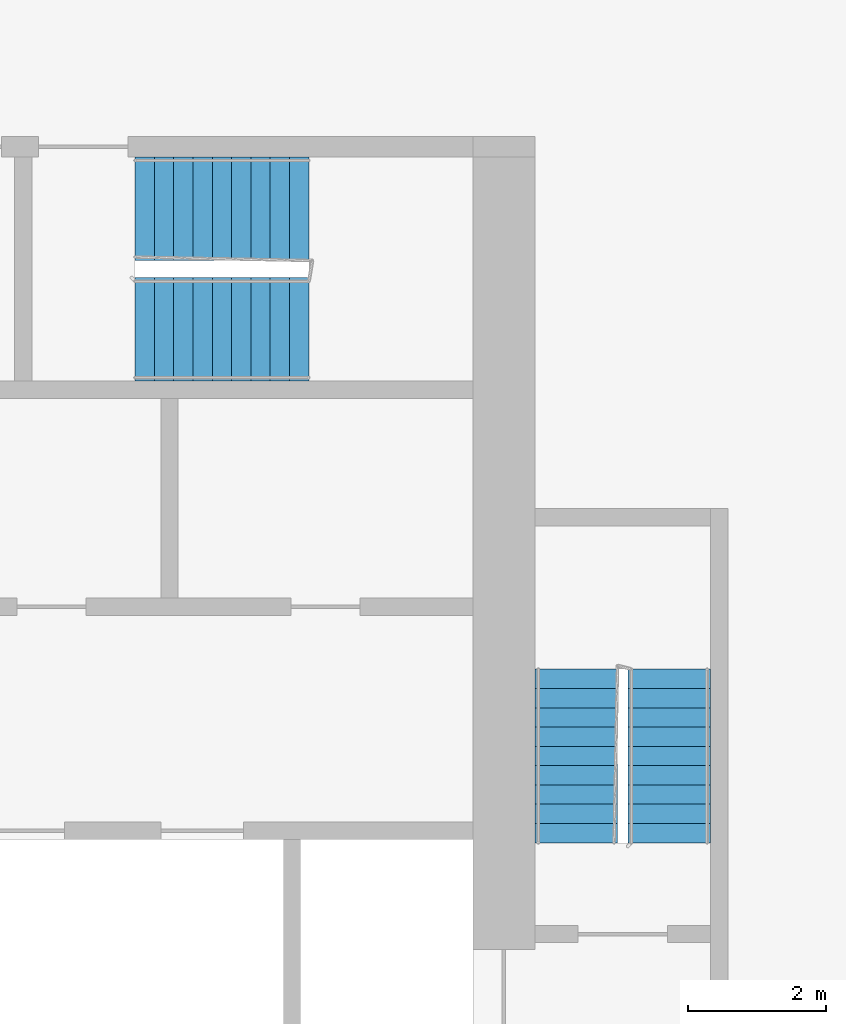
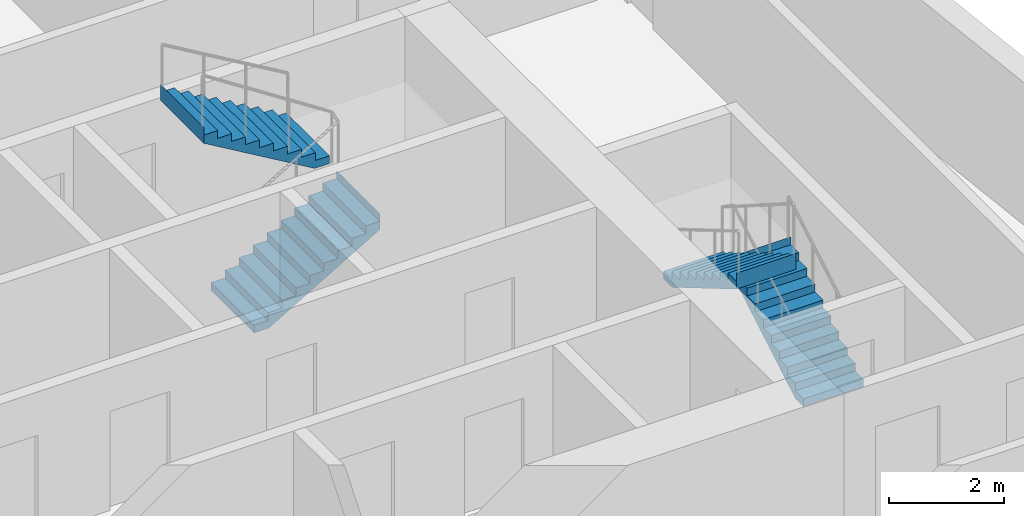
# One storey, part 11 of 12: 4 stair flights, 2 elements without a shape of their own.
"""IFC4 building model written with IfcOpenShell, lengths in metres."""

from ifc_helpers import new_model, si_unit, direction, frame, origin, place, context, subcontext, project, spatial, faceted_brep, material, type_object, element, aggregate, save


model = new_model("IFC4")

# Units and contexts
model_context = context("Model", 3, precision=1e-05, world=origin(), true_north=direction((0.0, 1.0)))
body_context = subcontext(model_context, "Body", "Model", "MODEL_VIEW")
ifc_project = project(units=[si_unit("LENGTHUNIT", "METRE"), si_unit("AREAUNIT", "SQUARE_METRE"), si_unit("VOLUMEUNIT", "CUBIC_METRE"), si_unit("PLANEANGLEUNIT", "RADIAN"), si_unit("MASSUNIT", "GRAM", prefix="KILO")], contexts=[model_context])

# Site, building, storey
site_placement = place(None, origin())
site = spatial("IfcSite", under=ifc_project, at=site_placement, CompositionType="ELEMENT")
building_placement = place(site_placement, origin())
building = spatial("IfcBuilding", under=site, at=building_placement, Name="Kajstack Hotel Tower", CompositionType="ELEMENT")
storey_placement = place(building_placement, frame((0.0, 0.0, 193.300048828125)))
storey = spatial("IfcBuildingStorey", under=building, at=storey_placement, Name="L46", CompositionType="ELEMENT", Elevation=193.300048828125)

# Stair, stair flights
ifc_material = material(Name="Concrete C40/50", Category="concrete")
stair_type_1 = type_object("IfcStairType", Name="Exit stair 1200", PredefinedType="HALF_TURN_STAIR", material=ifc_material)
stair_1_placement = place(storey_placement, origin())
stair_1 = element("IfcStair", 1, at=stair_1_placement, inside=storey, type_object=stair_type_1, Name="L46 stair E1", PredefinedType="HALF_TURN_STAIR")
stair_flight_type_1 = type_object("IfcStairFlightType", Name="Exit stair flight 1200", PredefinedType="STRAIGHT", material=ifc_material)
stair_flight_1_placement = place(storey_placement, frame((33.449951171875, 5.25, 0.0), z_axis=(0.0, 0.0, 1.0), x_axis=(0.0, 1.0, 0.0)))
stair_flight_1 = element("IfcStairFlight", 2, at=stair_flight_1_placement, type_object=stair_flight_type_1, Name="E1 flight 1", NumberOfRisers=10, NumberOfTreads=9, PredefinedType="STRAIGHT", RiserHeight=0.165, TreadLength=0.28, context=body_context, shape_type="Brep", body=[
    faceted_brep([(0.295654296875, -0.60009765625, 0.0), (2.5205078125, -0.60009765625, 1.31103515625), (2.5205078125, -0.60009765625, 1.64990234375), (2.52001953125, -0.60009765625, 1.64990234375), (2.52001953125, -0.60009765625, 1.485107421875), (2.239990234375, -0.60009765625, 1.485107421875), (2.239990234375, -0.60009765625, 1.320068359375), (1.9599609375, -0.60009765625, 1.320068359375), (1.9599609375, -0.60009765625, 1.155029296875), (1.679931640625, -0.60009765625, 1.155029296875), (1.679931640625, -0.60009765625, 0.989990234375), (1.39990234375, -0.60009765625, 0.989990234375), (1.39990234375, -0.60009765625, 0.824951171875), (1.1201171875, -0.60009765625, 0.824951171875), (1.1201171875, -0.60009765625, 0.659912109375), (0.840087890625, -0.60009765625, 0.659912109375), (0.840087890625, -0.60009765625, 0.4951171875), (0.56005859375, -0.60009765625, 0.4951171875), (0.56005859375, -0.60009765625, 0.330078125), (0.280029296875, -0.60009765625, 0.330078125), (0.280029296875, -0.60009765625, 0.1650390625), (-0.00048828125, -0.60009765625, 0.1650390625), (-0.00048828125, -0.60009765625, 0.0), (-0.00048828125, 0.60009765625, 0.0), (-0.00048828125, 0.60009765625, 0.1650390625), (0.280029296875, 0.60009765625, 0.1650390625), (0.280029296875, 0.60009765625, 0.330078125), (0.56005859375, 0.60009765625, 0.330078125), (0.56005859375, 0.60009765625, 0.4951171875), (0.840087890625, 0.60009765625, 0.4951171875), (0.840087890625, 0.60009765625, 0.659912109375), (1.1201171875, 0.60009765625, 0.659912109375), (1.1201171875, 0.60009765625, 0.824951171875), (1.39990234375, 0.60009765625, 0.824951171875), (1.39990234375, 0.60009765625, 0.989990234375), (1.679931640625, 0.60009765625, 0.989990234375), (1.679931640625, 0.60009765625, 1.155029296875), (1.9599609375, 0.60009765625, 1.155029296875), (1.9599609375, 0.60009765625, 1.320068359375), (2.239990234375, 0.60009765625, 1.320068359375), (2.239990234375, 0.60009765625, 1.485107421875), (2.52001953125, 0.60009765625, 1.485107421875), (2.52001953125, 0.60009765625, 1.64990234375), (2.5205078125, 0.60009765625, 1.64990234375), (2.5205078125, 0.60009765625, 1.31103515625), (0.295654296875, 0.60009765625, 0.0), (-0.00048828125, -0.300048828125, 0.1650390625), (-0.00048828125, 0.0, 0.1650390625), (-0.00048828125, 0.300048828125, 0.1650390625), (-0.00048828125, 0.300048828125, 0.0), (-0.00048828125, 0.0, 0.0), (-0.00048828125, -0.300048828125, 0.0), (0.280029296875, -0.300048828125, 0.1650390625), (0.280029296875, 0.0, 0.1650390625), (0.280029296875, 0.300048828125, 0.1650390625), (0.280029296875, -0.300048828125, 0.330078125), (0.280029296875, 0.0, 0.330078125), (0.280029296875, 0.300048828125, 0.330078125), (0.56005859375, -0.300048828125, 0.330078125), (0.56005859375, 0.0, 0.330078125), (0.56005859375, 0.300048828125, 0.330078125), (0.56005859375, -0.300048828125, 0.4951171875), (0.56005859375, 0.0, 0.4951171875), (0.56005859375, 0.300048828125, 0.4951171875), (0.840087890625, -0.300048828125, 0.4951171875), (0.840087890625, 0.0, 0.4951171875), (0.840087890625, 0.300048828125, 0.4951171875), (0.840087890625, -0.300048828125, 0.659912109375), (0.840087890625, 0.0, 0.659912109375), (0.840087890625, 0.300048828125, 0.659912109375), (1.1201171875, -0.300048828125, 0.659912109375), (1.1201171875, 0.0, 0.659912109375), (1.1201171875, 0.300048828125, 0.659912109375), (1.1201171875, -0.300048828125, 0.824951171875), (1.1201171875, 0.0, 0.824951171875), (1.1201171875, 0.300048828125, 0.824951171875), (1.39990234375, -0.300048828125, 0.824951171875), (1.39990234375, 0.0, 0.824951171875), (1.39990234375, 0.300048828125, 0.824951171875), (1.39990234375, -0.300048828125, 0.989990234375), (1.39990234375, 0.0, 0.989990234375), (1.39990234375, 0.300048828125, 0.989990234375), (1.679931640625, -0.300048828125, 0.989990234375), (1.679931640625, 0.0, 0.989990234375), (1.679931640625, 0.300048828125, 0.989990234375), (1.679931640625, -0.300048828125, 1.155029296875), (1.679931640625, 0.0, 1.155029296875), (1.679931640625, 0.300048828125, 1.155029296875), (1.9599609375, -0.300048828125, 1.155029296875), (1.9599609375, 0.0, 1.155029296875), (1.9599609375, 0.300048828125, 1.155029296875), (1.9599609375, -0.300048828125, 1.320068359375), (1.9599609375, 0.0, 1.320068359375), (1.9599609375, 0.300048828125, 1.320068359375), (2.239990234375, -0.300048828125, 1.320068359375), (2.239990234375, 0.0, 1.320068359375), (2.239990234375, 0.300048828125, 1.320068359375), (2.239990234375, -0.300048828125, 1.485107421875), (2.239990234375, 0.0, 1.485107421875), (2.239990234375, 0.300048828125, 1.485107421875), (2.52001953125, -0.300048828125, 1.485107421875), (2.52001953125, 0.0, 1.485107421875), (2.52001953125, 0.300048828125, 1.485107421875), (2.52001953125, -0.300048828125, 1.64990234375), (2.52001953125, 0.0, 1.64990234375), (2.52001953125, 0.300048828125, 1.64990234375), (2.5205078125, -0.300048828125, 1.64990234375), (2.5205078125, 0.0, 1.64990234375), (2.5205078125, 0.300048828125, 1.64990234375), (2.5205078125, -0.300048828125, 1.31103515625), (2.5205078125, 0.0, 1.31103515625), (2.5205078125, 0.300048828125, 1.31103515625), (0.295654296875, -0.300048828125, 0.0), (0.295654296875, 0.0, 0.0), (0.295654296875, 0.300048828125, 0.0)], [[[0, 1, 2, 3, 4, 5, 6, 7, 8, 9, 10, 11, 12, 13, 14, 15, 16, 17, 18, 19, 20, 21, 22]], [[23, 24, 25, 26, 27, 28, 29, 30, 31, 32, 33, 34, 35, 36, 37, 38, 39, 40, 41, 42, 43, 44, 45]], [[21, 46, 47, 48, 24, 23, 49, 50, 51, 22]], [[20, 52, 53, 54, 25, 24, 48, 47, 46, 21]], [[19, 55, 56, 57, 26, 25, 54, 53, 52, 20]], [[18, 58, 59, 60, 27, 26, 57, 56, 55, 19]], [[17, 61, 62, 63, 28, 27, 60, 59, 58, 18]], [[16, 64, 65, 66, 29, 28, 63, 62, 61, 17]], [[15, 67, 68, 69, 30, 29, 66, 65, 64, 16]], [[14, 70, 71, 72, 31, 30, 69, 68, 67, 15]], [[13, 73, 74, 75, 32, 31, 72, 71, 70, 14]], [[12, 76, 77, 78, 33, 32, 75, 74, 73, 13]], [[11, 79, 80, 81, 34, 33, 78, 77, 76, 12]], [[10, 82, 83, 84, 35, 34, 81, 80, 79, 11]], [[9, 85, 86, 87, 36, 35, 84, 83, 82, 10]], [[8, 88, 89, 90, 37, 36, 87, 86, 85, 9]], [[7, 91, 92, 93, 38, 37, 90, 89, 88, 8]], [[6, 94, 95, 96, 39, 38, 93, 92, 91, 7]], [[5, 97, 98, 99, 40, 39, 96, 95, 94, 6]], [[4, 100, 101, 102, 41, 40, 99, 98, 97, 5]], [[3, 103, 104, 105, 42, 41, 102, 101, 100, 4]], [[2, 106, 107, 108, 43, 42, 105, 104, 103, 3]], [[1, 109, 110, 111, 44, 43, 108, 107, 106, 2]], [[0, 112, 113, 114, 45, 44, 111, 110, 109, 1]], [[22, 51, 50, 49, 23, 45, 114, 113, 112, 0]]]),
])
stair_flight_2_placement = place(storey_placement, frame((32.10009765625, 7.77001953125, 1.64990234375), z_axis=(0.0, 0.0, 1.0), x_axis=(0.0, -1.0, 0.0)))
stair_flight_2 = element("IfcStairFlight", 3, at=stair_flight_2_placement, type_object=stair_flight_type_1, Name="E1 flight 2", NumberOfRisers=10, NumberOfTreads=9, PredefinedType="STRAIGHT", RiserHeight=0.165, TreadLength=0.28, context=body_context, shape_type="Brep", body=[
    faceted_brep([(0.295654296875, -0.60009765625, 0.0), (2.5205078125, -0.60009765625, 1.31103515625), (2.5205078125, -0.60009765625, 1.64990234375), (2.52001953125, -0.60009765625, 1.64990234375), (2.52001953125, -0.60009765625, 1.485107421875), (2.239990234375, -0.60009765625, 1.485107421875), (2.239990234375, -0.60009765625, 1.320068359375), (1.9599609375, -0.60009765625, 1.320068359375), (1.9599609375, -0.60009765625, 1.155029296875), (1.679931640625, -0.60009765625, 1.155029296875), (1.679931640625, -0.60009765625, 0.989990234375), (1.39990234375, -0.60009765625, 0.989990234375), (1.39990234375, -0.60009765625, 0.824951171875), (1.1201171875, -0.60009765625, 0.824951171875), (1.1201171875, -0.60009765625, 0.659912109375), (0.840087890625, -0.60009765625, 0.659912109375), (0.840087890625, -0.60009765625, 0.4951171875), (0.56005859375, -0.60009765625, 0.4951171875), (0.56005859375, -0.60009765625, 0.330078125), (0.280029296875, -0.60009765625, 0.330078125), (0.280029296875, -0.60009765625, 0.1650390625), (-0.00048828125, -0.60009765625, 0.1650390625), (-0.00048828125, -0.60009765625, 0.0), (-0.00048828125, 0.60009765625, 0.0), (-0.00048828125, 0.60009765625, 0.1650390625), (0.280029296875, 0.60009765625, 0.1650390625), (0.280029296875, 0.60009765625, 0.330078125), (0.56005859375, 0.60009765625, 0.330078125), (0.56005859375, 0.60009765625, 0.4951171875), (0.840087890625, 0.60009765625, 0.4951171875), (0.840087890625, 0.60009765625, 0.659912109375), (1.1201171875, 0.60009765625, 0.659912109375), (1.1201171875, 0.60009765625, 0.824951171875), (1.39990234375, 0.60009765625, 0.824951171875), (1.39990234375, 0.60009765625, 0.989990234375), (1.679931640625, 0.60009765625, 0.989990234375), (1.679931640625, 0.60009765625, 1.155029296875), (1.9599609375, 0.60009765625, 1.155029296875), (1.9599609375, 0.60009765625, 1.320068359375), (2.239990234375, 0.60009765625, 1.320068359375), (2.239990234375, 0.60009765625, 1.485107421875), (2.52001953125, 0.60009765625, 1.485107421875), (2.52001953125, 0.60009765625, 1.64990234375), (2.5205078125, 0.60009765625, 1.64990234375), (2.5205078125, 0.60009765625, 1.31103515625), (0.295654296875, 0.60009765625, 0.0), (-0.00048828125, -0.300048828125, 0.1650390625), (-0.00048828125, 0.0, 0.1650390625), (-0.00048828125, 0.300048828125, 0.1650390625), (-0.00048828125, 0.300048828125, 0.0), (-0.00048828125, 0.0, 0.0), (-0.00048828125, -0.300048828125, 0.0), (0.280029296875, -0.300048828125, 0.1650390625), (0.280029296875, 0.0, 0.1650390625), (0.280029296875, 0.300048828125, 0.1650390625), (0.280029296875, -0.300048828125, 0.330078125), (0.280029296875, 0.0, 0.330078125), (0.280029296875, 0.300048828125, 0.330078125), (0.56005859375, -0.300048828125, 0.330078125), (0.56005859375, 0.0, 0.330078125), (0.56005859375, 0.300048828125, 0.330078125), (0.56005859375, -0.300048828125, 0.4951171875), (0.56005859375, 0.0, 0.4951171875), (0.56005859375, 0.300048828125, 0.4951171875), (0.840087890625, -0.300048828125, 0.4951171875), (0.840087890625, 0.0, 0.4951171875), (0.840087890625, 0.300048828125, 0.4951171875), (0.840087890625, -0.300048828125, 0.659912109375), (0.840087890625, 0.0, 0.659912109375), (0.840087890625, 0.300048828125, 0.659912109375), (1.1201171875, -0.300048828125, 0.659912109375), (1.1201171875, 0.0, 0.659912109375), (1.1201171875, 0.300048828125, 0.659912109375), (1.1201171875, -0.300048828125, 0.824951171875), (1.1201171875, 0.0, 0.824951171875), (1.1201171875, 0.300048828125, 0.824951171875), (1.39990234375, -0.300048828125, 0.824951171875), (1.39990234375, 0.0, 0.824951171875), (1.39990234375, 0.300048828125, 0.824951171875), (1.39990234375, -0.300048828125, 0.989990234375), (1.39990234375, 0.0, 0.989990234375), (1.39990234375, 0.300048828125, 0.989990234375), (1.679931640625, -0.300048828125, 0.989990234375), (1.679931640625, 0.0, 0.989990234375), (1.679931640625, 0.300048828125, 0.989990234375), (1.679931640625, -0.300048828125, 1.155029296875), (1.679931640625, 0.0, 1.155029296875), (1.679931640625, 0.300048828125, 1.155029296875), (1.9599609375, -0.300048828125, 1.155029296875), (1.9599609375, 0.0, 1.155029296875), (1.9599609375, 0.300048828125, 1.155029296875), (1.9599609375, -0.300048828125, 1.320068359375), (1.9599609375, 0.0, 1.320068359375), (1.9599609375, 0.300048828125, 1.320068359375), (2.239990234375, -0.300048828125, 1.320068359375), (2.239990234375, 0.0, 1.320068359375), (2.239990234375, 0.300048828125, 1.320068359375), (2.239990234375, -0.300048828125, 1.485107421875), (2.239990234375, 0.0, 1.485107421875), (2.239990234375, 0.300048828125, 1.485107421875), (2.52001953125, -0.300048828125, 1.485107421875), (2.52001953125, 0.0, 1.485107421875), (2.52001953125, 0.300048828125, 1.485107421875), (2.52001953125, -0.300048828125, 1.64990234375), (2.52001953125, 0.0, 1.64990234375), (2.52001953125, 0.300048828125, 1.64990234375), (2.5205078125, -0.300048828125, 1.64990234375), (2.5205078125, 0.0, 1.64990234375), (2.5205078125, 0.300048828125, 1.64990234375), (2.5205078125, -0.300048828125, 1.31103515625), (2.5205078125, 0.0, 1.31103515625), (2.5205078125, 0.300048828125, 1.31103515625), (0.295654296875, -0.300048828125, 0.0), (0.295654296875, 0.0, 0.0), (0.295654296875, 0.300048828125, 0.0)], [[[0, 1, 2, 3, 4, 5, 6, 7, 8, 9, 10, 11, 12, 13, 14, 15, 16, 17, 18, 19, 20, 21, 22]], [[23, 24, 25, 26, 27, 28, 29, 30, 31, 32, 33, 34, 35, 36, 37, 38, 39, 40, 41, 42, 43, 44, 45]], [[21, 46, 47, 48, 24, 23, 49, 50, 51, 22]], [[20, 52, 53, 54, 25, 24, 48, 47, 46, 21]], [[19, 55, 56, 57, 26, 25, 54, 53, 52, 20]], [[18, 58, 59, 60, 27, 26, 57, 56, 55, 19]], [[17, 61, 62, 63, 28, 27, 60, 59, 58, 18]], [[16, 64, 65, 66, 29, 28, 63, 62, 61, 17]], [[15, 67, 68, 69, 30, 29, 66, 65, 64, 16]], [[14, 70, 71, 72, 31, 30, 69, 68, 67, 15]], [[13, 73, 74, 75, 32, 31, 72, 71, 70, 14]], [[12, 76, 77, 78, 33, 32, 75, 74, 73, 13]], [[11, 79, 80, 81, 34, 33, 78, 77, 76, 12]], [[10, 82, 83, 84, 35, 34, 81, 80, 79, 11]], [[9, 85, 86, 87, 36, 35, 84, 83, 82, 10]], [[8, 88, 89, 90, 37, 36, 87, 86, 85, 9]], [[7, 91, 92, 93, 38, 37, 90, 89, 88, 8]], [[6, 94, 95, 96, 39, 38, 93, 92, 91, 7]], [[5, 97, 98, 99, 40, 39, 96, 95, 94, 6]], [[4, 100, 101, 102, 41, 40, 99, 98, 97, 5]], [[3, 103, 104, 105, 42, 41, 102, 101, 100, 4]], [[2, 106, 107, 108, 43, 42, 105, 104, 103, 3]], [[1, 109, 110, 111, 44, 43, 108, 107, 106, 2]], [[0, 112, 113, 114, 45, 44, 111, 110, 109, 1]], [[22, 51, 50, 49, 23, 45, 114, 113, 112, 0]]]),
])
aggregate(stair_1, [stair_flight_1, stair_flight_2])

stair_type_2 = type_object("IfcStairType", Name="Exit stair 1500", PredefinedType="HALF_TURN_STAIR", material=ifc_material)
stair_2_placement = place(storey_placement, origin())
stair_2 = element("IfcStair", 4, at=stair_2_placement, inside=storey, type_object=stair_type_2, Name="L46 stair E3", PredefinedType="HALF_TURN_STAIR")
stair_flight_type_2 = type_object("IfcStairFlightType", Name="Exit stair flight 1500", PredefinedType="STRAIGHT", material=ifc_material)
stair_flight_3_placement = place(storey_placement, frame((25.699951171875, 12.699951171875, 0.0), z_axis=(0.0, 0.0, 1.0), x_axis=(1.0, 0.0, 0.0)))
stair_flight_3 = element("IfcStairFlight", 5, at=stair_flight_3_placement, type_object=stair_flight_type_2, Name="E3 flight 1", NumberOfRisers=10, NumberOfTreads=9, PredefinedType="STRAIGHT", RiserHeight=0.165, TreadLength=0.28, context=body_context, shape_type="Brep", body=[
    faceted_brep([(0.295654296875, -0.75, 0.0), (2.5205078125, -0.75, 1.31103515625), (2.5205078125, -0.75, 1.64990234375), (2.52001953125, -0.75, 1.64990234375), (2.52001953125, -0.75, 1.485107421875), (2.239990234375, -0.75, 1.485107421875), (2.239990234375, -0.75, 1.320068359375), (1.9599609375, -0.75, 1.320068359375), (1.9599609375, -0.75, 1.155029296875), (1.679931640625, -0.75, 1.155029296875), (1.679931640625, -0.75, 0.989990234375), (1.39990234375, -0.75, 0.989990234375), (1.39990234375, -0.75, 0.824951171875), (1.1201171875, -0.75, 0.824951171875), (1.1201171875, -0.75, 0.659912109375), (0.840087890625, -0.75, 0.659912109375), (0.840087890625, -0.75, 0.4951171875), (0.56005859375, -0.75, 0.4951171875), (0.56005859375, -0.75, 0.330078125), (0.280029296875, -0.75, 0.330078125), (0.280029296875, -0.75, 0.1650390625), (-0.00048828125, -0.75, 0.1650390625), (-0.00048828125, -0.75, 0.0), (-0.00048828125, 0.75, 0.0), (-0.00048828125, 0.75, 0.1650390625), (0.280029296875, 0.75, 0.1650390625), (0.280029296875, 0.75, 0.330078125), (0.56005859375, 0.75, 0.330078125), (0.56005859375, 0.75, 0.4951171875), (0.840087890625, 0.75, 0.4951171875), (0.840087890625, 0.75, 0.659912109375), (1.1201171875, 0.75, 0.659912109375), (1.1201171875, 0.75, 0.824951171875), (1.39990234375, 0.75, 0.824951171875), (1.39990234375, 0.75, 0.989990234375), (1.679931640625, 0.75, 0.989990234375), (1.679931640625, 0.75, 1.155029296875), (1.9599609375, 0.75, 1.155029296875), (1.9599609375, 0.75, 1.320068359375), (2.239990234375, 0.75, 1.320068359375), (2.239990234375, 0.75, 1.485107421875), (2.52001953125, 0.75, 1.485107421875), (2.52001953125, 0.75, 1.64990234375), (2.5205078125, 0.75, 1.64990234375), (2.5205078125, 0.75, 1.31103515625), (0.295654296875, 0.75, 0.0), (-0.00048828125, -0.375, 0.1650390625), (-0.00048828125, 0.0, 0.1650390625), (-0.00048828125, 0.375, 0.1650390625), (-0.00048828125, 0.375, 0.0), (-0.00048828125, 0.0, 0.0), (-0.00048828125, -0.375, 0.0), (0.280029296875, -0.375, 0.1650390625), (0.280029296875, 0.0, 0.1650390625), (0.280029296875, 0.375, 0.1650390625), (0.280029296875, -0.375, 0.330078125), (0.280029296875, 0.0, 0.330078125), (0.280029296875, 0.375, 0.330078125), (0.56005859375, -0.375, 0.330078125), (0.56005859375, 0.0, 0.330078125), (0.56005859375, 0.375, 0.330078125), (0.56005859375, -0.375, 0.4951171875), (0.56005859375, 0.0, 0.4951171875), (0.56005859375, 0.375, 0.4951171875), (0.840087890625, -0.375, 0.4951171875), (0.840087890625, 0.0, 0.4951171875), (0.840087890625, 0.375, 0.4951171875), (0.840087890625, -0.375, 0.659912109375), (0.840087890625, 0.0, 0.659912109375), (0.840087890625, 0.375, 0.659912109375), (1.1201171875, -0.375, 0.659912109375), (1.1201171875, 0.0, 0.659912109375), (1.1201171875, 0.375, 0.659912109375), (1.1201171875, -0.375, 0.824951171875), (1.1201171875, 0.0, 0.824951171875), (1.1201171875, 0.375, 0.824951171875), (1.39990234375, -0.375, 0.824951171875), (1.39990234375, 0.0, 0.824951171875), (1.39990234375, 0.375, 0.824951171875), (1.39990234375, -0.375, 0.989990234375), (1.39990234375, 0.0, 0.989990234375), (1.39990234375, 0.375, 0.989990234375), (1.679931640625, -0.375, 0.989990234375), (1.679931640625, 0.0, 0.989990234375), (1.679931640625, 0.375, 0.989990234375), (1.679931640625, -0.375, 1.155029296875), (1.679931640625, 0.0, 1.155029296875), (1.679931640625, 0.375, 1.155029296875), (1.9599609375, -0.375, 1.155029296875), (1.9599609375, 0.0, 1.155029296875), (1.9599609375, 0.375, 1.155029296875), (1.9599609375, -0.375, 1.320068359375), (1.9599609375, 0.0, 1.320068359375), (1.9599609375, 0.375, 1.320068359375), (2.239990234375, -0.375, 1.320068359375), (2.239990234375, 0.0, 1.320068359375), (2.239990234375, 0.375, 1.320068359375), (2.239990234375, -0.375, 1.485107421875), (2.239990234375, 0.0, 1.485107421875), (2.239990234375, 0.375, 1.485107421875), (2.52001953125, -0.375, 1.485107421875), (2.52001953125, 0.0, 1.485107421875), (2.52001953125, 0.375, 1.485107421875), (2.52001953125, -0.375, 1.64990234375), (2.52001953125, 0.0, 1.64990234375), (2.52001953125, 0.375, 1.64990234375), (2.5205078125, -0.375, 1.64990234375), (2.5205078125, 0.0, 1.64990234375), (2.5205078125, 0.375, 1.64990234375), (2.5205078125, -0.375, 1.31103515625), (2.5205078125, 0.0, 1.31103515625), (2.5205078125, 0.375, 1.31103515625), (0.295654296875, -0.375, 0.0), (0.295654296875, 0.0, 0.0), (0.295654296875, 0.375, 0.0)], [[[0, 1, 2, 3, 4, 5, 6, 7, 8, 9, 10, 11, 12, 13, 14, 15, 16, 17, 18, 19, 20, 21, 22]], [[23, 24, 25, 26, 27, 28, 29, 30, 31, 32, 33, 34, 35, 36, 37, 38, 39, 40, 41, 42, 43, 44, 45]], [[21, 46, 47, 48, 24, 23, 49, 50, 51, 22]], [[20, 52, 53, 54, 25, 24, 48, 47, 46, 21]], [[19, 55, 56, 57, 26, 25, 54, 53, 52, 20]], [[18, 58, 59, 60, 27, 26, 57, 56, 55, 19]], [[17, 61, 62, 63, 28, 27, 60, 59, 58, 18]], [[16, 64, 65, 66, 29, 28, 63, 62, 61, 17]], [[15, 67, 68, 69, 30, 29, 66, 65, 64, 16]], [[14, 70, 71, 72, 31, 30, 69, 68, 67, 15]], [[13, 73, 74, 75, 32, 31, 72, 71, 70, 14]], [[12, 76, 77, 78, 33, 32, 75, 74, 73, 13]], [[11, 79, 80, 81, 34, 33, 78, 77, 76, 12]], [[10, 82, 83, 84, 35, 34, 81, 80, 79, 11]], [[9, 85, 86, 87, 36, 35, 84, 83, 82, 10]], [[8, 88, 89, 90, 37, 36, 87, 86, 85, 9]], [[7, 91, 92, 93, 38, 37, 90, 89, 88, 8]], [[6, 94, 95, 96, 39, 38, 93, 92, 91, 7]], [[5, 97, 98, 99, 40, 39, 96, 95, 94, 6]], [[4, 100, 101, 102, 41, 40, 99, 98, 97, 5]], [[3, 103, 104, 105, 42, 41, 102, 101, 100, 4]], [[2, 106, 107, 108, 43, 42, 105, 104, 103, 3]], [[1, 109, 110, 111, 44, 43, 108, 107, 106, 2]], [[0, 112, 113, 114, 45, 44, 111, 110, 109, 1]], [[22, 51, 50, 49, 23, 45, 114, 113, 112, 0]]]),
])
stair_flight_4_placement = place(storey_placement, frame((28.219970703125, 14.449951171875, 1.64990234375), z_axis=(0.0, 0.0, 1.0), x_axis=(-1.0, 0.0, 0.0)))
stair_flight_4 = element("IfcStairFlight", 6, at=stair_flight_4_placement, type_object=stair_flight_type_2, Name="E3 flight 2", NumberOfRisers=10, NumberOfTreads=9, PredefinedType="STRAIGHT", RiserHeight=0.165, TreadLength=0.28, context=body_context, shape_type="Brep", body=[
    faceted_brep([(0.295654296875, -0.75, 0.0), (2.5205078125, -0.75, 1.31103515625), (2.5205078125, -0.75, 1.64990234375), (2.52001953125, -0.75, 1.64990234375), (2.52001953125, -0.75, 1.485107421875), (2.239990234375, -0.75, 1.485107421875), (2.239990234375, -0.75, 1.320068359375), (1.9599609375, -0.75, 1.320068359375), (1.9599609375, -0.75, 1.155029296875), (1.679931640625, -0.75, 1.155029296875), (1.679931640625, -0.75, 0.989990234375), (1.39990234375, -0.75, 0.989990234375), (1.39990234375, -0.75, 0.824951171875), (1.1201171875, -0.75, 0.824951171875), (1.1201171875, -0.75, 0.659912109375), (0.840087890625, -0.75, 0.659912109375), (0.840087890625, -0.75, 0.4951171875), (0.56005859375, -0.75, 0.4951171875), (0.56005859375, -0.75, 0.330078125), (0.280029296875, -0.75, 0.330078125), (0.280029296875, -0.75, 0.1650390625), (-0.00048828125, -0.75, 0.1650390625), (-0.00048828125, -0.75, 0.0), (-0.00048828125, 0.75, 0.0), (-0.00048828125, 0.75, 0.1650390625), (0.280029296875, 0.75, 0.1650390625), (0.280029296875, 0.75, 0.330078125), (0.56005859375, 0.75, 0.330078125), (0.56005859375, 0.75, 0.4951171875), (0.840087890625, 0.75, 0.4951171875), (0.840087890625, 0.75, 0.659912109375), (1.1201171875, 0.75, 0.659912109375), (1.1201171875, 0.75, 0.824951171875), (1.39990234375, 0.75, 0.824951171875), (1.39990234375, 0.75, 0.989990234375), (1.679931640625, 0.75, 0.989990234375), (1.679931640625, 0.75, 1.155029296875), (1.9599609375, 0.75, 1.155029296875), (1.9599609375, 0.75, 1.320068359375), (2.239990234375, 0.75, 1.320068359375), (2.239990234375, 0.75, 1.485107421875), (2.52001953125, 0.75, 1.485107421875), (2.52001953125, 0.75, 1.64990234375), (2.5205078125, 0.75, 1.64990234375), (2.5205078125, 0.75, 1.31103515625), (0.295654296875, 0.75, 0.0), (-0.00048828125, -0.375, 0.1650390625), (-0.00048828125, 0.0, 0.1650390625), (-0.00048828125, 0.375, 0.1650390625), (-0.00048828125, 0.375, 0.0), (-0.00048828125, 0.0, 0.0), (-0.00048828125, -0.375, 0.0), (0.280029296875, -0.375, 0.1650390625), (0.280029296875, 0.0, 0.1650390625), (0.280029296875, 0.375, 0.1650390625), (0.280029296875, -0.375, 0.330078125), (0.280029296875, 0.0, 0.330078125), (0.280029296875, 0.375, 0.330078125), (0.56005859375, -0.375, 0.330078125), (0.56005859375, 0.0, 0.330078125), (0.56005859375, 0.375, 0.330078125), (0.56005859375, -0.375, 0.4951171875), (0.56005859375, 0.0, 0.4951171875), (0.56005859375, 0.375, 0.4951171875), (0.840087890625, -0.375, 0.4951171875), (0.840087890625, 0.0, 0.4951171875), (0.840087890625, 0.375, 0.4951171875), (0.840087890625, -0.375, 0.659912109375), (0.840087890625, 0.0, 0.659912109375), (0.840087890625, 0.375, 0.659912109375), (1.1201171875, -0.375, 0.659912109375), (1.1201171875, 0.0, 0.659912109375), (1.1201171875, 0.375, 0.659912109375), (1.1201171875, -0.375, 0.824951171875), (1.1201171875, 0.0, 0.824951171875), (1.1201171875, 0.375, 0.824951171875), (1.39990234375, -0.375, 0.824951171875), (1.39990234375, 0.0, 0.824951171875), (1.39990234375, 0.375, 0.824951171875), (1.39990234375, -0.375, 0.989990234375), (1.39990234375, 0.0, 0.989990234375), (1.39990234375, 0.375, 0.989990234375), (1.679931640625, -0.375, 0.989990234375), (1.679931640625, 0.0, 0.989990234375), (1.679931640625, 0.375, 0.989990234375), (1.679931640625, -0.375, 1.155029296875), (1.679931640625, 0.0, 1.155029296875), (1.679931640625, 0.375, 1.155029296875), (1.9599609375, -0.375, 1.155029296875), (1.9599609375, 0.0, 1.155029296875), (1.9599609375, 0.375, 1.155029296875), (1.9599609375, -0.375, 1.320068359375), (1.9599609375, 0.0, 1.320068359375), (1.9599609375, 0.375, 1.320068359375), (2.239990234375, -0.375, 1.320068359375), (2.239990234375, 0.0, 1.320068359375), (2.239990234375, 0.375, 1.320068359375), (2.239990234375, -0.375, 1.485107421875), (2.239990234375, 0.0, 1.485107421875), (2.239990234375, 0.375, 1.485107421875), (2.52001953125, -0.375, 1.485107421875), (2.52001953125, 0.0, 1.485107421875), (2.52001953125, 0.375, 1.485107421875), (2.52001953125, -0.375, 1.64990234375), (2.52001953125, 0.0, 1.64990234375), (2.52001953125, 0.375, 1.64990234375), (2.5205078125, -0.375, 1.64990234375), (2.5205078125, 0.0, 1.64990234375), (2.5205078125, 0.375, 1.64990234375), (2.5205078125, -0.375, 1.31103515625), (2.5205078125, 0.0, 1.31103515625), (2.5205078125, 0.375, 1.31103515625), (0.295654296875, -0.375, 0.0), (0.295654296875, 0.0, 0.0), (0.295654296875, 0.375, 0.0)], [[[0, 1, 2, 3, 4, 5, 6, 7, 8, 9, 10, 11, 12, 13, 14, 15, 16, 17, 18, 19, 20, 21, 22]], [[23, 24, 25, 26, 27, 28, 29, 30, 31, 32, 33, 34, 35, 36, 37, 38, 39, 40, 41, 42, 43, 44, 45]], [[21, 46, 47, 48, 24, 23, 49, 50, 51, 22]], [[20, 52, 53, 54, 25, 24, 48, 47, 46, 21]], [[19, 55, 56, 57, 26, 25, 54, 53, 52, 20]], [[18, 58, 59, 60, 27, 26, 57, 56, 55, 19]], [[17, 61, 62, 63, 28, 27, 60, 59, 58, 18]], [[16, 64, 65, 66, 29, 28, 63, 62, 61, 17]], [[15, 67, 68, 69, 30, 29, 66, 65, 64, 16]], [[14, 70, 71, 72, 31, 30, 69, 68, 67, 15]], [[13, 73, 74, 75, 32, 31, 72, 71, 70, 14]], [[12, 76, 77, 78, 33, 32, 75, 74, 73, 13]], [[11, 79, 80, 81, 34, 33, 78, 77, 76, 12]], [[10, 82, 83, 84, 35, 34, 81, 80, 79, 11]], [[9, 85, 86, 87, 36, 35, 84, 83, 82, 10]], [[8, 88, 89, 90, 37, 36, 87, 86, 85, 9]], [[7, 91, 92, 93, 38, 37, 90, 89, 88, 8]], [[6, 94, 95, 96, 39, 38, 93, 92, 91, 7]], [[5, 97, 98, 99, 40, 39, 96, 95, 94, 6]], [[4, 100, 101, 102, 41, 40, 99, 98, 97, 5]], [[3, 103, 104, 105, 42, 41, 102, 101, 100, 4]], [[2, 106, 107, 108, 43, 42, 105, 104, 103, 3]], [[1, 109, 110, 111, 44, 43, 108, 107, 106, 2]], [[0, 112, 113, 114, 45, 44, 111, 110, 109, 1]], [[22, 51, 50, 49, 23, 45, 114, 113, 112, 0]]]),
])
aggregate(stair_2, [stair_flight_3, stair_flight_4])

save(model, "model.ifc")
